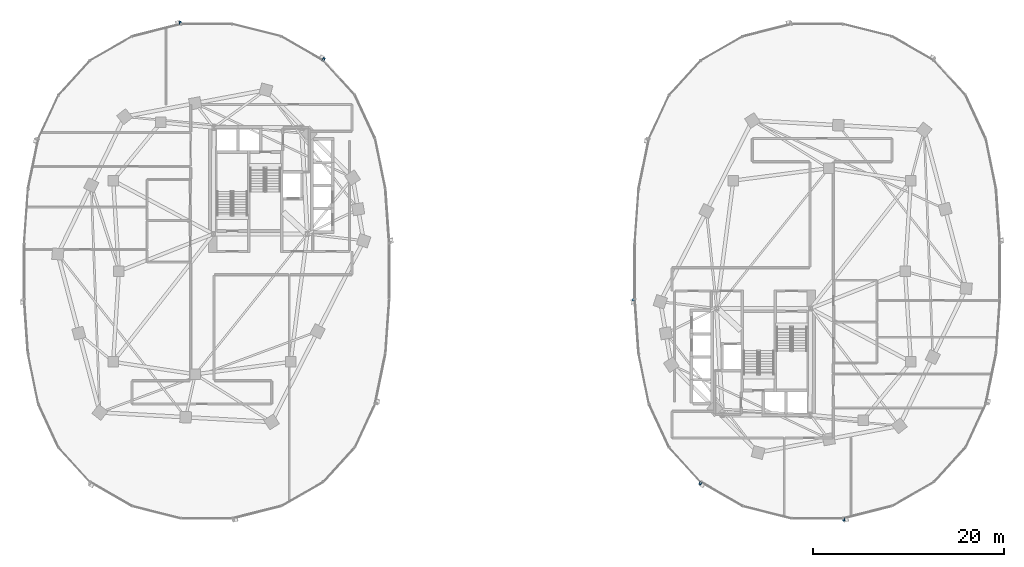
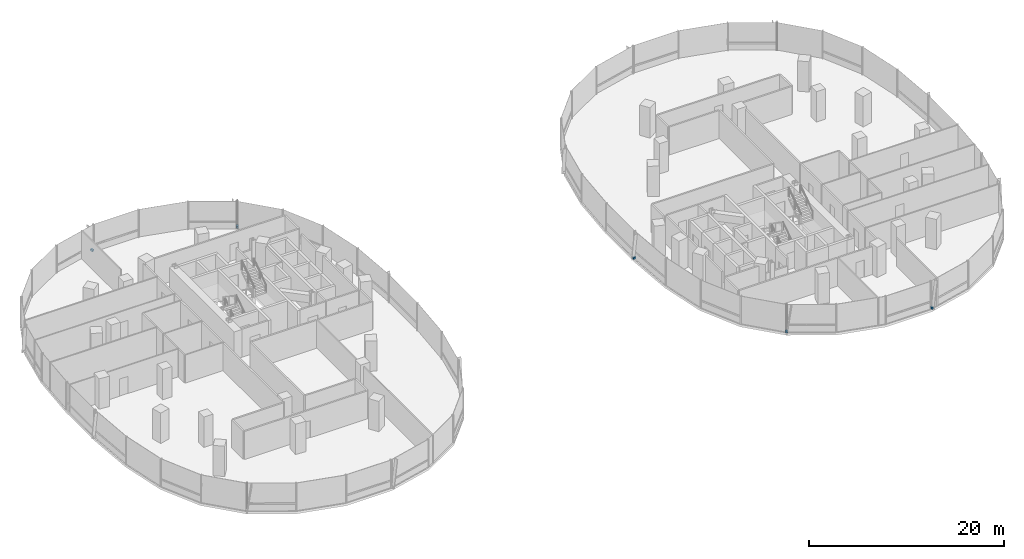
# One storey, part 15 of 21: 5 discrete accessories.
"""IFC4 building model written with IfcOpenShell, lengths in metres."""

from ifc_helpers import new_model, si_unit, direction, frame, origin, origin_2d, place, context, subcontext, project, spatial, rectangle, extrude, material, type_object, element, save


model = new_model("IFC4")

# Units and contexts
model_context = context("Model", 3, precision=1e-05, world=origin(), true_north=direction((0.0, 1.0)))
body_context = subcontext(model_context, "Body", "Model", "MODEL_VIEW")
ifc_project = project(units=[si_unit("LENGTHUNIT", "METRE"), si_unit("AREAUNIT", "SQUARE_METRE"), si_unit("VOLUMEUNIT", "CUBIC_METRE"), si_unit("PLANEANGLEUNIT", "RADIAN"), si_unit("MASSUNIT", "GRAM", prefix="KILO"), si_unit("THERMODYNAMICTEMPERATUREUNIT", "KELVIN"), si_unit("POWERUNIT", "WATT")], contexts=[model_context])

# Site, building, storey
site_placement = place(None, origin())
site = spatial("IfcSite", under=ifc_project, at=site_placement, CompositionType="ELEMENT")
building_placement = place(site_placement, origin())
building = spatial("IfcBuilding", under=site, at=building_placement, Name="Cundina Bronze Exchange", CompositionType="ELEMENT")
storey_placement = place(building_placement, frame((0.0, 0.0, 27.800048828125)))
storey = spatial("IfcBuildingStorey", under=building, at=storey_placement, Name="L06", CompositionType="ELEMENT", Elevation=27.800048828125)

# Discrete accessories
ifc_material = material(Name="Anodised Bronze Aluminium 6063-T6", Category="aluminium")
discrete_accessory_type = type_object("IfcDiscreteAccessoryType", Name="ACC-BRK-FIN", PredefinedType="BRACKET", material=ifc_material)
for number, where, z_axis, x_axis, name in (
    (1, (-19.740478515625, 22.21875, 0.10009765625), (0.0, 0.0, 1.0), (-0.867105478933, 0.498124571171, 0.0), "L06 Fin Support Bracket 5"),
    (2, (-34.76025390625, 26.03173828125, 0.10009765625), (0.0, 0.0, 1.0), (-0.969488149345, -0.245138182011, 0.0), "L06 Fin Support Bracket 1"),
    (3, (12.735595703125, -2.986083984375, 0.10009765625), (0.0, 0.0, 1.0), (0.070278787473, -0.997527389113, 0.0), "L06 Fin Support Bracket 1"),
    (4, (19.740478515625, -22.21875, 0.10009765625), (0.0, 0.0, 1.0), (0.867105478933, -0.498124571171, 0.0), "L06 Fin Support Bracket 5"),
    (5, (34.76025390625, -26.03173828125, 0.10009765625), (0.0, 0.0, 1.0), (0.969488149345, 0.245138182011, 0.0), "L06 Fin Support Bracket 1"),
):
    element("IfcDiscreteAccessory", number, at=place(storey_placement, frame(where, z_axis=z_axis, x_axis=x_axis)), inside=storey, type_object=discrete_accessory_type, Name=name, PredefinedType="BRACKET", context=body_context, shape_type="SweptSolid", body=[
        extrude(rectangle(XDim=0.219970703125, YDim=0.320068359375, at=origin_2d()), origin(), (0.0, 0.0, 1.0), 0.239990234375),
    ])

save(model, "model.ifc")
